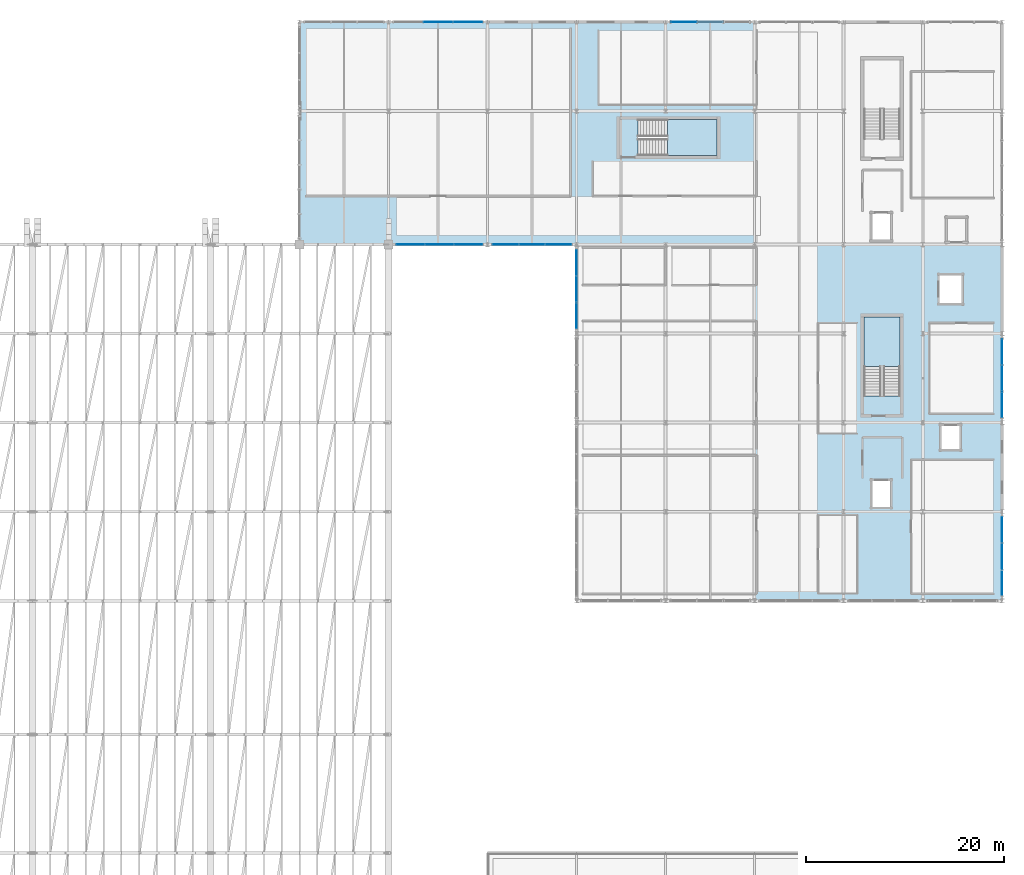
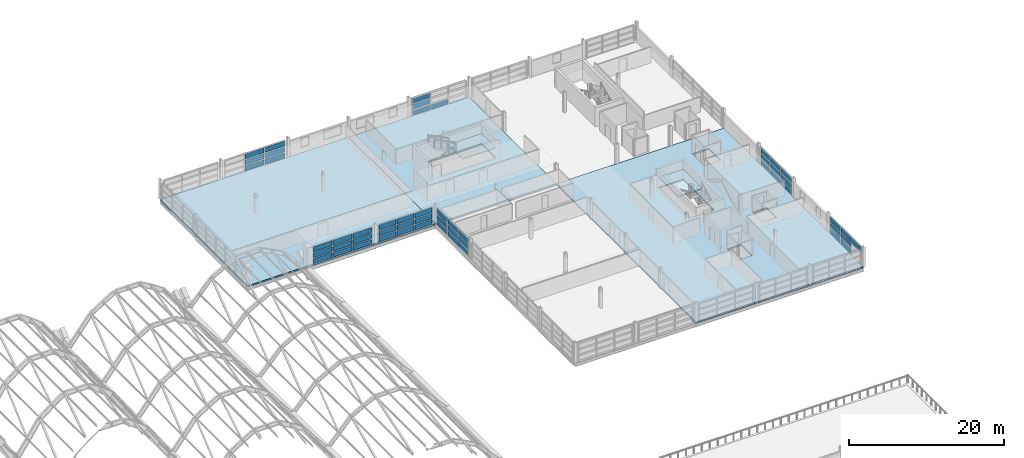
# One storey, part 59 of 86: 53 plates, 5 slabs, 9 elements without a shape of their own.
"""IFC4 building model written with IfcOpenShell, lengths in metres."""

from ifc_helpers import new_model, si_unit, direction, frame, origin, origin_2d, place, context, subcontext, project, spatial, polyline, rectangle, outline, extrude, material, layer, layer_set, type_object, element, aggregate, save


model = new_model("IFC4")

# Units and contexts
model_context = context("Model", 3, precision=1e-05, world=origin(), true_north=direction((0.0, 1.0)))
body_context = subcontext(model_context, "Body", "Model", "MODEL_VIEW")
ifc_project = project(units=[si_unit("LENGTHUNIT", "METRE"), si_unit("AREAUNIT", "SQUARE_METRE"), si_unit("VOLUMEUNIT", "CUBIC_METRE"), si_unit("PLANEANGLEUNIT", "RADIAN"), si_unit("MASSUNIT", "GRAM", prefix="KILO")], contexts=[model_context])

# Site, building, storey
site_placement = place(None, origin())
site = spatial("IfcSite", under=ifc_project, at=site_placement, CompositionType="ELEMENT")
building_placement = place(site_placement, origin())
building = spatial("IfcBuilding", under=site, at=building_placement, Name="Chuanluo Vaults Station", CompositionType="ELEMENT")
storey_placement = place(building_placement, frame((0.0, 0.0, 14.39990234375)))
storey = spatial("IfcBuildingStorey", under=building, at=storey_placement, Name="L03", CompositionType="ELEMENT", Elevation=14.39990234375)

# Curtain wall, plates
ifc_material_1 = material(Name="Anodised aluminium 6063-T6", Category="aluminium")
curtain_wall_type_1 = type_object("IfcCurtainWallType", Name="CW-SYS-27", PredefinedType="NOTDEFINED", material=ifc_material_1)
curtain_wall_1_placement = place(storey_placement, origin())
curtain_wall_1 = element("IfcCurtainWall", 1, at=curtain_wall_1_placement, inside=storey, type_object=curtain_wall_type_1, Name="Operations L03 facade CW part 1", PredefinedType="NOTDEFINED")
ifc_material_2 = material(Name="Ceramic-fritted spandrel glass", Category="glass")
ifc_layer_1 = layer(ifc_material_2, 0.06396484375)
ifc_layer_set_1 = layer_set([ifc_layer_1], Name="Ceramic-fritted spandrel glass")
plate_type_1 = type_object("IfcPlateType", Name="CWP-SPN-42", PredefinedType="SHEET", material=ifc_layer_set_1)
plate_1_placement = place(storey_placement, frame((143.183349609375, 103.5, 0.080078125), z_axis=(0.0, 0.0, 1.0), x_axis=(-1.0, 0.0, 0.0)))
plate_1 = element("IfcPlate", 2, at=plate_1_placement, type_object=plate_type_1, Name="Operations L03 facade CW part 1 glazed panel 1.1", PredefinedType="SHEET", context=body_context, shape_type="SweptSolid", body=[
    extrude(rectangle(XDim=2.523193359375, YDim=0.06396484375, at=origin_2d()), origin(), (0.0, 0.0, 1.0), 0.773193359375),
])
plate_2_placement = place(storey_placement, frame((140.5, 103.5, 0.080078125), z_axis=(0.0, 0.0, 1.0), x_axis=(-1.0, 0.0, 0.0)))
plate_2 = element("IfcPlate", 3, at=plate_2_placement, type_object=plate_type_1, Name="Operations L03 facade CW part 1 glazed panel 2.1", PredefinedType="SHEET", context=body_context, shape_type="SweptSolid", body=[
    extrude(rectangle(XDim=2.523193359375, YDim=0.06396484375, at=origin_2d()), origin(), (0.0, 0.0, 1.0), 0.773193359375),
])
plate_3_placement = place(storey_placement, frame((137.816650390625, 103.5, 0.080078125), z_axis=(0.0, 0.0, 1.0), x_axis=(-1.0, 0.0, 0.0)))
plate_3 = element("IfcPlate", 4, at=plate_3_placement, type_object=plate_type_1, Name="Operations L03 facade CW part 1 glazed panel 3.1", PredefinedType="SHEET", context=body_context, shape_type="SweptSolid", body=[
    extrude(rectangle(XDim=2.523193359375, YDim=0.06396484375, at=origin_2d()), origin(), (0.0, 0.0, 1.0), 0.773193359375),
])

ifc_material_3 = material(Name="Anodised aluminium 6063-T6", Category="aluminium")
curtain_wall_type_2 = type_object("IfcCurtainWallType", Name="CW-SYS-05", PredefinedType="NOTDEFINED", material=ifc_material_3)
curtain_wall_2_placement = place(storey_placement, origin())
curtain_wall_2 = element("IfcCurtainWall", 5, at=curtain_wall_2_placement, inside=storey, type_object=curtain_wall_type_2, Name="Operations L03 facade CW", PredefinedType="NOTDEFINED")
plate_4_placement = place(storey_placement, frame((155.816650390625, 126.0, 0.080078125), z_axis=(0.0, 0.0, 1.0), x_axis=(1.0, 0.0, 0.0)))
plate_4 = element("IfcPlate", 6, at=plate_4_placement, type_object=plate_type_1, Name="Operations L03 facade CW glazed panel 1.1", PredefinedType="SHEET", context=body_context, shape_type="SweptSolid", body=[
    extrude(rectangle(XDim=2.523193359375, YDim=0.06396484375, at=origin_2d()), origin(), (0.0, 0.0, 1.0), 0.773193359375),
])
plate_5_placement = place(storey_placement, frame((158.5, 126.0, 0.080078125), z_axis=(0.0, 0.0, 1.0), x_axis=(1.0, 0.0, 0.0)))
plate_5 = element("IfcPlate", 7, at=plate_5_placement, type_object=plate_type_1, Name="Operations L03 facade CW glazed panel 2.1", PredefinedType="SHEET", context=body_context, shape_type="SweptSolid", body=[
    extrude(rectangle(XDim=2.523193359375, YDim=0.06396484375, at=origin_2d()), origin(), (0.0, 0.0, 1.0), 0.773193359375),
])

ifc_material_4 = material(Name="Anodised aluminium 6063-T6", Category="aluminium")
curtain_wall_type_3 = type_object("IfcCurtainWallType", Name="CW-SYS-09", PredefinedType="NOTDEFINED", material=ifc_material_4)
curtain_wall_3_placement = place(storey_placement, origin())
curtain_wall_3 = element("IfcCurtainWall", 8, at=curtain_wall_3_placement, inside=storey, type_object=curtain_wall_type_3, Name="Operations L03 facade CW", PredefinedType="NOTDEFINED")
plate_6_placement = place(storey_placement, frame((188.0, 92.683349609375, 0.080078125), z_axis=(0.0, 0.0, 1.0), x_axis=(0.0, -1.0, 0.0)))
plate_6 = element("IfcPlate", 9, at=plate_6_placement, type_object=plate_type_1, Name="Operations L03 facade CW glazed panel 1.1", PredefinedType="SHEET", context=body_context, shape_type="SweptSolid", body=[
    extrude(rectangle(XDim=2.523193359375, YDim=0.06396484375, at=origin_2d()), origin(), (0.0, 0.0, 1.0), 0.773193359375),
])
plate_7_placement = place(storey_placement, frame((188.0, 90.0, 0.080078125), z_axis=(0.0, 0.0, 1.0), x_axis=(0.0, -1.0, 0.0)))
plate_7 = element("IfcPlate", 10, at=plate_7_placement, type_object=plate_type_1, Name="Operations L03 facade CW glazed panel 2.1", PredefinedType="SHEET", context=body_context, shape_type="SweptSolid", body=[
    extrude(rectangle(XDim=2.523193359375, YDim=0.06396484375, at=origin_2d()), origin(), (0.0, 0.0, 1.0), 0.773193359375),
])
plate_8_placement = place(storey_placement, frame((188.0, 87.316650390625, 0.080078125), z_axis=(0.0, 0.0, 1.0), x_axis=(0.0, -1.0, 0.0)))
plate_8 = element("IfcPlate", 11, at=plate_8_placement, type_object=plate_type_1, Name="Operations L03 facade CW glazed panel 3.1", PredefinedType="SHEET", context=body_context, shape_type="SweptSolid", body=[
    extrude(rectangle(XDim=2.523193359375, YDim=0.06396484375, at=origin_2d()), origin(), (0.0, 0.0, 1.0), 0.773193359375),
])

ifc_material_5 = material(Name="Anodised aluminium 6063-T6", Category="aluminium")
curtain_wall_type_4 = type_object("IfcCurtainWallType", Name="CW-SYS-26", PredefinedType="NOTDEFINED", material=ifc_material_5)
curtain_wall_4_placement = place(storey_placement, origin())
curtain_wall_4 = element("IfcCurtainWall", 12, at=curtain_wall_4_placement, inside=storey, type_object=curtain_wall_type_4, Name="Operations L03 facade CW", PredefinedType="NOTDEFINED")
ifc_material_6 = material(Name="Ceramic-fritted spandrel glass", Category="glass")
ifc_layer_2 = layer(ifc_material_6, 0.070068359375)
ifc_layer_set_2 = layer_set([ifc_layer_2], Name="Ceramic-fritted spandrel glass")
plate_type_2 = type_object("IfcPlateType", Name="CWP-SPN-50", PredefinedType="SHEET", material=ifc_layer_set_2)
plate_9_placement = place(storey_placement, frame((145.0, 96.316650390625, 0.080078125), z_axis=(0.0, 0.0, 1.0), x_axis=(0.0, 1.0, 0.0)))
plate_9 = element("IfcPlate", 13, at=plate_9_placement, type_object=plate_type_2, Name="Operations L03 facade CW glazed panel 1.1", PredefinedType="SHEET", context=body_context, shape_type="SweptSolid", body=[
    extrude(rectangle(XDim=2.523193359375, YDim=0.070068359375, at=origin_2d()), origin(), (0.0, 0.0, 1.0), 0.773193359375),
])
plate_10_placement = place(storey_placement, frame((145.0, 99.0, 0.080078125), z_axis=(0.0, 0.0, 1.0), x_axis=(0.0, 1.0, 0.0)))
plate_10 = element("IfcPlate", 14, at=plate_10_placement, type_object=plate_type_2, Name="Operations L03 facade CW glazed panel 2.1", PredefinedType="SHEET", context=body_context, shape_type="SweptSolid", body=[
    extrude(rectangle(XDim=2.523193359375, YDim=0.070068359375, at=origin_2d()), origin(), (0.0, 0.0, 1.0), 0.773193359375),
])
plate_11_placement = place(storey_placement, frame((145.0, 101.683349609375, 0.080078125), z_axis=(0.0, 0.0, 1.0), x_axis=(0.0, 1.0, 0.0)))
plate_11 = element("IfcPlate", 15, at=plate_11_placement, type_object=plate_type_2, Name="Operations L03 facade CW glazed panel 3.1", PredefinedType="SHEET", context=body_context, shape_type="SweptSolid", body=[
    extrude(rectangle(XDim=2.523193359375, YDim=0.070068359375, at=origin_2d()), origin(), (0.0, 0.0, 1.0), 0.773193359375),
])

ifc_material_7 = material(Name="Anodised aluminium 6063-T6", Category="aluminium")
curtain_wall_type_5 = type_object("IfcCurtainWallType", Name="CW-SYS-28", PredefinedType="NOTDEFINED", material=ifc_material_7)
curtain_wall_5_placement = place(storey_placement, origin())
curtain_wall_5 = element("IfcCurtainWall", 16, at=curtain_wall_5_placement, inside=storey, type_object=curtain_wall_type_5, Name="Operations L03 facade CW part 2", PredefinedType="NOTDEFINED")
plate_12_placement = place(storey_placement, frame((134.058349609375, 103.5, 0.080078125), z_axis=(0.0, 0.0, 1.0), x_axis=(-1.0, 0.0, 0.0)))
plate_12 = element("IfcPlate", 17, at=plate_12_placement, type_object=plate_type_2, Name="Operations L03 facade CW part 2 glazed panel 1.1", PredefinedType="SHEET", context=body_context, shape_type="SweptSolid", body=[
    extrude(rectangle(XDim=2.773193359375, YDim=0.070068359375, at=origin_2d()), origin(), (0.0, 0.0, 1.0), 0.773193359375),
])
plate_13_placement = place(storey_placement, frame((131.125, 103.5, 0.080078125), z_axis=(0.0, 0.0, 1.0), x_axis=(-1.0, 0.0, 0.0)))
plate_13 = element("IfcPlate", 18, at=plate_13_placement, type_object=plate_type_2, Name="Operations L03 facade CW part 2 glazed panel 2.1", PredefinedType="SHEET", context=body_context, shape_type="SweptSolid", body=[
    extrude(rectangle(XDim=2.773193359375, YDim=0.070068359375, at=origin_2d()), origin(), (0.0, 0.0, 1.0), 0.773193359375),
])
plate_14_placement = place(storey_placement, frame((128.191650390625, 103.5, 0.080078125), z_axis=(0.0, 0.0, 1.0), x_axis=(-1.0, 0.0, 0.0)))
plate_14 = element("IfcPlate", 19, at=plate_14_placement, type_object=plate_type_2, Name="Operations L03 facade CW part 2 glazed panel 3.1", PredefinedType="SHEET", context=body_context, shape_type="SweptSolid", body=[
    extrude(rectangle(XDim=2.773193359375, YDim=0.070068359375, at=origin_2d()), origin(), (0.0, 0.0, 1.0), 0.773193359375),
])

ifc_material_8 = material(Name="Anodised aluminium 6063-T6", Category="aluminium")
curtain_wall_type_6 = type_object("IfcCurtainWallType", Name="CW-SYS-04", PredefinedType="NOTDEFINED", material=ifc_material_8)
curtain_wall_6_placement = place(storey_placement, origin())
curtain_wall_6 = element("IfcCurtainWall", 20, at=curtain_wall_6_placement, inside=storey, type_object=curtain_wall_type_6, Name="Operations L03 facade CW", PredefinedType="NOTDEFINED")
plate_15_placement = place(storey_placement, frame((131.0, 126.0, 0.080078125), z_axis=(0.0, 0.0, 1.0), x_axis=(1.0, 0.0, 0.0)))
plate_15 = element("IfcPlate", 21, at=plate_15_placement, type_object=plate_type_2, Name="Operations L03 facade CW glazed panel 2.1", PredefinedType="SHEET", context=body_context, shape_type="SweptSolid", body=[
    extrude(rectangle(XDim=2.856689453125, YDim=0.070068359375, at=origin_2d()), origin(), (0.0, 0.0, 1.0), 0.773193359375),
])
plate_16_placement = place(storey_placement, frame((134.0166015625, 126.0, 0.080078125), z_axis=(0.0, 0.0, 1.0), x_axis=(1.0, 0.0, 0.0)))
plate_16 = element("IfcPlate", 22, at=plate_16_placement, type_object=plate_type_2, Name="Operations L03 facade CW glazed panel 3.1", PredefinedType="SHEET", context=body_context, shape_type="SweptSolid", body=[
    extrude(rectangle(XDim=2.856689453125, YDim=0.070068359375, at=origin_2d()), origin(), (0.0, 0.0, 1.0), 0.773193359375),
])

ifc_material_9 = material(Name="Anodised aluminium 6063-T6", Category="aluminium")
curtain_wall_type_7 = type_object("IfcCurtainWallType", Name="CW-SYS-08", PredefinedType="NOTDEFINED", material=ifc_material_9)
curtain_wall_7_placement = place(storey_placement, origin())
curtain_wall_7 = element("IfcCurtainWall", 23, at=curtain_wall_7_placement, inside=storey, type_object=curtain_wall_type_7, Name="Operations L03 facade CW", PredefinedType="NOTDEFINED")
plate_17_placement = place(storey_placement, frame((188.0, 74.683349609375, 0.080078125), z_axis=(0.0, 0.0, 1.0), x_axis=(0.0, -1.0, 0.0)))
plate_17 = element("IfcPlate", 24, at=plate_17_placement, type_object=plate_type_2, Name="Operations L03 facade CW glazed panel 1.1", PredefinedType="SHEET", context=body_context, shape_type="SweptSolid", body=[
    extrude(rectangle(XDim=2.523193359375, YDim=0.070068359375, at=origin_2d()), origin(), (0.0, 0.0, 1.0), 0.773193359375),
])
plate_18_placement = place(storey_placement, frame((188.0, 72.0, 0.080078125), z_axis=(0.0, 0.0, 1.0), x_axis=(0.0, -1.0, 0.0)))
plate_18 = element("IfcPlate", 25, at=plate_18_placement, type_object=plate_type_2, Name="Operations L03 facade CW glazed panel 2.1", PredefinedType="SHEET", context=body_context, shape_type="SweptSolid", body=[
    extrude(rectangle(XDim=2.523193359375, YDim=0.070068359375, at=origin_2d()), origin(), (0.0, 0.0, 1.0), 0.773193359375),
])

# Plate
ifc_material_10 = material(Name="Double-silver Low-E laminated glass", Category="glass")
ifc_layer_3 = layer(ifc_material_10, 0.0439453125)
ifc_layer_set_3 = layer_set([ifc_layer_3], Name="Double-silver Low-E laminated glass")
plate_type_3 = type_object("IfcPlateType", Name="CWP-VIS-28", PredefinedType="CURTAIN_PANEL", material=ifc_layer_set_3)
plate_19_placement = place(storey_placement, frame((134.058349609375, 103.5, 1.013427734375), z_axis=(0.0, 0.0, 1.0), x_axis=(-1.0, 0.0, 0.0)))
plate_19 = element("IfcPlate", 26, at=plate_19_placement, type_object=plate_type_3, Name="Operations L03 facade CW part 2 glazed panel 1.2", PredefinedType="CURTAIN_PANEL", context=body_context, shape_type="SweptSolid", body=[
    extrude(rectangle(XDim=2.773193359375, YDim=0.0439453125, at=origin_2d()), origin(), (0.0, 0.0, 1.0), 0.7734375),
])

plate_20_placement = place(storey_placement, frame((134.058349609375, 103.5, 1.94677734375), z_axis=(0.0, 0.0, 1.0), x_axis=(-1.0, 0.0, 0.0)))
plate_20 = element("IfcPlate", 27, at=plate_20_placement, type_object=plate_type_3, Name="Operations L03 facade CW part 2 glazed panel 1.3", PredefinedType="CURTAIN_PANEL", context=body_context, shape_type="SweptSolid", body=[
    extrude(rectangle(XDim=2.773193359375, YDim=0.0439453125, at=origin_2d()), origin(), (0.0, 0.0, 1.0), 0.773193359375),
])

plate_21_placement = place(storey_placement, frame((131.125, 103.5, 1.013427734375), z_axis=(0.0, 0.0, 1.0), x_axis=(-1.0, 0.0, 0.0)))
plate_21 = element("IfcPlate", 28, at=plate_21_placement, type_object=plate_type_3, Name="Operations L03 facade CW part 2 glazed panel 2.2", PredefinedType="CURTAIN_PANEL", context=body_context, shape_type="SweptSolid", body=[
    extrude(rectangle(XDim=2.773193359375, YDim=0.0439453125, at=origin_2d()), origin(), (0.0, 0.0, 1.0), 0.7734375),
])

plate_22_placement = place(storey_placement, frame((131.125, 103.5, 1.94677734375), z_axis=(0.0, 0.0, 1.0), x_axis=(-1.0, 0.0, 0.0)))
plate_22 = element("IfcPlate", 29, at=plate_22_placement, type_object=plate_type_3, Name="Operations L03 facade CW part 2 glazed panel 2.3", PredefinedType="CURTAIN_PANEL", context=body_context, shape_type="SweptSolid", body=[
    extrude(rectangle(XDim=2.773193359375, YDim=0.0439453125, at=origin_2d()), origin(), (0.0, 0.0, 1.0), 0.773193359375),
])

plate_23_placement = place(storey_placement, frame((128.191650390625, 103.5, 1.013427734375), z_axis=(0.0, 0.0, 1.0), x_axis=(-1.0, 0.0, 0.0)))
plate_23 = element("IfcPlate", 30, at=plate_23_placement, type_object=plate_type_3, Name="Operations L03 facade CW part 2 glazed panel 3.2", PredefinedType="CURTAIN_PANEL", context=body_context, shape_type="SweptSolid", body=[
    extrude(rectangle(XDim=2.773193359375, YDim=0.0439453125, at=origin_2d()), origin(), (0.0, 0.0, 1.0), 0.7734375),
])

plate_24_placement = place(storey_placement, frame((128.191650390625, 103.5, 1.94677734375), z_axis=(0.0, 0.0, 1.0), x_axis=(-1.0, 0.0, 0.0)))
plate_24 = element("IfcPlate", 31, at=plate_24_placement, type_object=plate_type_3, Name="Operations L03 facade CW part 2 glazed panel 3.3", PredefinedType="CURTAIN_PANEL", context=body_context, shape_type="SweptSolid", body=[
    extrude(rectangle(XDim=2.773193359375, YDim=0.0439453125, at=origin_2d()), origin(), (0.0, 0.0, 1.0), 0.773193359375),
])

aggregate(curtain_wall_5, [plate_12, plate_19, plate_20, plate_13, plate_21, plate_22, plate_14, plate_23, plate_24])

plate_25_placement = place(storey_placement, frame((131.0, 126.0, 1.013427734375), z_axis=(0.0, 0.0, 1.0), x_axis=(1.0, 0.0, 0.0)))
plate_25 = element("IfcPlate", 32, at=plate_25_placement, type_object=plate_type_3, Name="Operations L03 facade CW glazed panel 2.2", PredefinedType="CURTAIN_PANEL", context=body_context, shape_type="SweptSolid", body=[
    extrude(rectangle(XDim=2.856689453125, YDim=0.0439453125, at=origin_2d()), origin(), (0.0, 0.0, 1.0), 0.7734375),
])

plate_26_placement = place(storey_placement, frame((131.0, 126.0, 1.94677734375), z_axis=(0.0, 0.0, 1.0), x_axis=(1.0, 0.0, 0.0)))
plate_26 = element("IfcPlate", 33, at=plate_26_placement, type_object=plate_type_3, Name="Operations L03 facade CW glazed panel 2.3", PredefinedType="CURTAIN_PANEL", context=body_context, shape_type="SweptSolid", body=[
    extrude(rectangle(XDim=2.856689453125, YDim=0.0439453125, at=origin_2d()), origin(), (0.0, 0.0, 1.0), 0.773193359375),
])

plate_27_placement = place(storey_placement, frame((134.0166015625, 126.0, 1.013427734375), z_axis=(0.0, 0.0, 1.0), x_axis=(1.0, 0.0, 0.0)))
plate_27 = element("IfcPlate", 34, at=plate_27_placement, type_object=plate_type_3, Name="Operations L03 facade CW glazed panel 3.2", PredefinedType="CURTAIN_PANEL", context=body_context, shape_type="SweptSolid", body=[
    extrude(rectangle(XDim=2.856689453125, YDim=0.0439453125, at=origin_2d()), origin(), (0.0, 0.0, 1.0), 0.7734375),
])

plate_28_placement = place(storey_placement, frame((134.0166015625, 126.0, 1.94677734375), z_axis=(0.0, 0.0, 1.0), x_axis=(1.0, 0.0, 0.0)))
plate_28 = element("IfcPlate", 35, at=plate_28_placement, type_object=plate_type_3, Name="Operations L03 facade CW glazed panel 3.3", PredefinedType="CURTAIN_PANEL", context=body_context, shape_type="SweptSolid", body=[
    extrude(rectangle(XDim=2.856689453125, YDim=0.0439453125, at=origin_2d()), origin(), (0.0, 0.0, 1.0), 0.773193359375),
])

aggregate(curtain_wall_6, [plate_15, plate_25, plate_26, plate_16, plate_27, plate_28])

plate_29_placement = place(storey_placement, frame((188.0, 74.683349609375, 1.013427734375), z_axis=(0.0, 0.0, 1.0), x_axis=(0.0, -1.0, 0.0)))
plate_29 = element("IfcPlate", 36, at=plate_29_placement, type_object=plate_type_3, Name="Operations L03 facade CW glazed panel 1.2", PredefinedType="CURTAIN_PANEL", context=body_context, shape_type="SweptSolid", body=[
    extrude(rectangle(XDim=2.523193359375, YDim=0.0439453125, at=origin_2d()), origin(), (0.0, 0.0, 1.0), 0.7734375),
])

plate_30_placement = place(storey_placement, frame((188.0, 74.683349609375, 1.94677734375), z_axis=(0.0, 0.0, 1.0), x_axis=(0.0, -1.0, 0.0)))
plate_30 = element("IfcPlate", 37, at=plate_30_placement, type_object=plate_type_3, Name="Operations L03 facade CW glazed panel 1.3", PredefinedType="CURTAIN_PANEL", context=body_context, shape_type="SweptSolid", body=[
    extrude(rectangle(XDim=2.523193359375, YDim=0.0439453125, at=origin_2d()), origin(), (0.0, 0.0, 1.0), 0.773193359375),
])

plate_31_placement = place(storey_placement, frame((188.0, 72.0, 1.013427734375), z_axis=(0.0, 0.0, 1.0), x_axis=(0.0, -1.0, 0.0)))
plate_31 = element("IfcPlate", 38, at=plate_31_placement, type_object=plate_type_3, Name="Operations L03 facade CW glazed panel 2.2", PredefinedType="CURTAIN_PANEL", context=body_context, shape_type="SweptSolid", body=[
    extrude(rectangle(XDim=2.523193359375, YDim=0.0439453125, at=origin_2d()), origin(), (0.0, 0.0, 1.0), 0.7734375),
])

plate_32_placement = place(storey_placement, frame((188.0, 72.0, 1.94677734375), z_axis=(0.0, 0.0, 1.0), x_axis=(0.0, -1.0, 0.0)))
plate_32 = element("IfcPlate", 39, at=plate_32_placement, type_object=plate_type_3, Name="Operations L03 facade CW glazed panel 2.3", PredefinedType="CURTAIN_PANEL", context=body_context, shape_type="SweptSolid", body=[
    extrude(rectangle(XDim=2.523193359375, YDim=0.0439453125, at=origin_2d()), origin(), (0.0, 0.0, 1.0), 0.773193359375),
])

plate_33_placement = place(storey_placement, frame((188.0, 69.316650390625, 1.94677734375), z_axis=(0.0, 0.0, 1.0), x_axis=(0.0, -1.0, 0.0)))
plate_33 = element("IfcPlate", 40, at=plate_33_placement, type_object=plate_type_3, Name="Operations L03 facade CW glazed panel 3.3", PredefinedType="CURTAIN_PANEL", context=body_context, shape_type="SweptSolid", body=[
    extrude(rectangle(XDim=2.523193359375, YDim=0.0439453125, at=origin_2d()), origin(), (0.0, 0.0, 1.0), 0.773193359375),
])

aggregate(curtain_wall_7, [plate_17, plate_29, plate_30, plate_18, plate_31, plate_32, plate_33])

ifc_material_11 = material(Name="Double-silver Low-E laminated glass", Category="glass")
ifc_layer_4 = layer(ifc_material_11, 0.048095703125)
ifc_layer_set_4 = layer_set([ifc_layer_4], Name="Double-silver Low-E laminated glass")
plate_type_4 = type_object("IfcPlateType", Name="CWP-VIS-32", PredefinedType="CURTAIN_PANEL", material=ifc_layer_set_4)
plate_34_placement = place(storey_placement, frame((143.183349609375, 103.5, 1.013427734375), z_axis=(0.0, 0.0, 1.0), x_axis=(-1.0, 0.0, 0.0)))
plate_34 = element("IfcPlate", 41, at=plate_34_placement, type_object=plate_type_4, Name="Operations L03 facade CW part 1 glazed panel 1.2", PredefinedType="CURTAIN_PANEL", context=body_context, shape_type="SweptSolid", body=[
    extrude(rectangle(XDim=2.523193359375, YDim=0.048095703125, at=origin_2d()), origin(), (0.0, 0.0, 1.0), 0.7734375),
])

plate_35_placement = place(storey_placement, frame((143.183349609375, 103.5, 1.94677734375), z_axis=(0.0, 0.0, 1.0), x_axis=(-1.0, 0.0, 0.0)))
plate_35 = element("IfcPlate", 42, at=plate_35_placement, type_object=plate_type_4, Name="Operations L03 facade CW part 1 glazed panel 1.3", PredefinedType="CURTAIN_PANEL", context=body_context, shape_type="SweptSolid", body=[
    extrude(rectangle(XDim=2.523193359375, YDim=0.048095703125, at=origin_2d()), origin(), (0.0, 0.0, 1.0), 0.773193359375),
])

plate_36_placement = place(storey_placement, frame((140.5, 103.5, 1.013427734375), z_axis=(0.0, 0.0, 1.0), x_axis=(-1.0, 0.0, 0.0)))
plate_36 = element("IfcPlate", 43, at=plate_36_placement, type_object=plate_type_4, Name="Operations L03 facade CW part 1 glazed panel 2.2", PredefinedType="CURTAIN_PANEL", context=body_context, shape_type="SweptSolid", body=[
    extrude(rectangle(XDim=2.523193359375, YDim=0.048095703125, at=origin_2d()), origin(), (0.0, 0.0, 1.0), 0.7734375),
])

plate_37_placement = place(storey_placement, frame((140.5, 103.5, 1.94677734375), z_axis=(0.0, 0.0, 1.0), x_axis=(-1.0, 0.0, 0.0)))
plate_37 = element("IfcPlate", 44, at=plate_37_placement, type_object=plate_type_4, Name="Operations L03 facade CW part 1 glazed panel 2.3", PredefinedType="CURTAIN_PANEL", context=body_context, shape_type="SweptSolid", body=[
    extrude(rectangle(XDim=2.523193359375, YDim=0.048095703125, at=origin_2d()), origin(), (0.0, 0.0, 1.0), 0.773193359375),
])

plate_38_placement = place(storey_placement, frame((137.816650390625, 103.5, 1.013427734375), z_axis=(0.0, 0.0, 1.0), x_axis=(-1.0, 0.0, 0.0)))
plate_38 = element("IfcPlate", 45, at=plate_38_placement, type_object=plate_type_4, Name="Operations L03 facade CW part 1 glazed panel 3.2", PredefinedType="CURTAIN_PANEL", context=body_context, shape_type="SweptSolid", body=[
    extrude(rectangle(XDim=2.523193359375, YDim=0.048095703125, at=origin_2d()), origin(), (0.0, 0.0, 1.0), 0.7734375),
])

plate_39_placement = place(storey_placement, frame((137.816650390625, 103.5, 1.94677734375), z_axis=(0.0, 0.0, 1.0), x_axis=(-1.0, 0.0, 0.0)))
plate_39 = element("IfcPlate", 46, at=plate_39_placement, type_object=plate_type_4, Name="Operations L03 facade CW part 1 glazed panel 3.3", PredefinedType="CURTAIN_PANEL", context=body_context, shape_type="SweptSolid", body=[
    extrude(rectangle(XDim=2.523193359375, YDim=0.048095703125, at=origin_2d()), origin(), (0.0, 0.0, 1.0), 0.773193359375),
])

aggregate(curtain_wall_1, [plate_1, plate_34, plate_35, plate_2, plate_36, plate_37, plate_3, plate_38, plate_39])

ifc_material_12 = material(Name="Double-silver Low-E laminated glass", Category="glass")
ifc_layer_5 = layer(ifc_material_12, 0.053955078125)
ifc_layer_set_5 = layer_set([ifc_layer_5], Name="Double-silver Low-E laminated glass")
plate_type_5 = type_object("IfcPlateType", Name="CWP-VIS-36", PredefinedType="CURTAIN_PANEL", material=ifc_layer_set_5)
plate_40_placement = place(storey_placement, frame((145.0, 96.316650390625, 1.013427734375), z_axis=(0.0, 0.0, 1.0), x_axis=(0.0, 1.0, 0.0)))
plate_40 = element("IfcPlate", 47, at=plate_40_placement, type_object=plate_type_5, Name="Operations L03 facade CW glazed panel 1.2", PredefinedType="CURTAIN_PANEL", context=body_context, shape_type="SweptSolid", body=[
    extrude(rectangle(XDim=2.523193359375, YDim=0.053955078125, at=origin_2d()), origin(), (0.0, 0.0, 1.0), 0.7734375),
])

plate_41_placement = place(storey_placement, frame((145.0, 96.316650390625, 1.94677734375), z_axis=(0.0, 0.0, 1.0), x_axis=(0.0, 1.0, 0.0)))
plate_41 = element("IfcPlate", 48, at=plate_41_placement, type_object=plate_type_5, Name="Operations L03 facade CW glazed panel 1.3", PredefinedType="CURTAIN_PANEL", context=body_context, shape_type="SweptSolid", body=[
    extrude(rectangle(XDim=2.523193359375, YDim=0.053955078125, at=origin_2d()), origin(), (0.0, 0.0, 1.0), 0.773193359375),
])

plate_42_placement = place(storey_placement, frame((145.0, 99.0, 1.013427734375), z_axis=(0.0, 0.0, 1.0), x_axis=(0.0, 1.0, 0.0)))
plate_42 = element("IfcPlate", 49, at=plate_42_placement, type_object=plate_type_5, Name="Operations L03 facade CW glazed panel 2.2", PredefinedType="CURTAIN_PANEL", context=body_context, shape_type="SweptSolid", body=[
    extrude(rectangle(XDim=2.523193359375, YDim=0.053955078125, at=origin_2d()), origin(), (0.0, 0.0, 1.0), 0.7734375),
])

plate_43_placement = place(storey_placement, frame((145.0, 99.0, 1.94677734375), z_axis=(0.0, 0.0, 1.0), x_axis=(0.0, 1.0, 0.0)))
plate_43 = element("IfcPlate", 50, at=plate_43_placement, type_object=plate_type_5, Name="Operations L03 facade CW glazed panel 2.3", PredefinedType="CURTAIN_PANEL", context=body_context, shape_type="SweptSolid", body=[
    extrude(rectangle(XDim=2.523193359375, YDim=0.053955078125, at=origin_2d()), origin(), (0.0, 0.0, 1.0), 0.773193359375),
])

plate_44_placement = place(storey_placement, frame((145.0, 101.683349609375, 1.013427734375), z_axis=(0.0, 0.0, 1.0), x_axis=(0.0, 1.0, 0.0)))
plate_44 = element("IfcPlate", 51, at=plate_44_placement, type_object=plate_type_5, Name="Operations L03 facade CW glazed panel 3.2", PredefinedType="CURTAIN_PANEL", context=body_context, shape_type="SweptSolid", body=[
    extrude(rectangle(XDim=2.523193359375, YDim=0.053955078125, at=origin_2d()), origin(), (0.0, 0.0, 1.0), 0.7734375),
])

plate_45_placement = place(storey_placement, frame((145.0, 101.683349609375, 1.94677734375), z_axis=(0.0, 0.0, 1.0), x_axis=(0.0, 1.0, 0.0)))
plate_45 = element("IfcPlate", 52, at=plate_45_placement, type_object=plate_type_5, Name="Operations L03 facade CW glazed panel 3.3", PredefinedType="CURTAIN_PANEL", context=body_context, shape_type="SweptSolid", body=[
    extrude(rectangle(XDim=2.523193359375, YDim=0.053955078125, at=origin_2d()), origin(), (0.0, 0.0, 1.0), 0.773193359375),
])

aggregate(curtain_wall_4, [plate_9, plate_40, plate_41, plate_10, plate_42, plate_43, plate_11, plate_44, plate_45])

ifc_material_13 = material(Name="Double-silver Low-E laminated glass", Category="glass")
ifc_layer_6 = layer(ifc_material_13, 0.05810546875)
ifc_layer_set_6 = layer_set([ifc_layer_6], Name="Double-silver Low-E laminated glass")
plate_type_6 = type_object("IfcPlateType", Name="CWP-VIS-38", PredefinedType="CURTAIN_PANEL", material=ifc_layer_set_6)
plate_46_placement = place(storey_placement, frame((155.816650390625, 126.0, 1.013427734375), z_axis=(0.0, 0.0, 1.0), x_axis=(1.0, 0.0, 0.0)))
plate_46 = element("IfcPlate", 53, at=plate_46_placement, type_object=plate_type_6, Name="Operations L03 facade CW glazed panel 1.2", PredefinedType="CURTAIN_PANEL", context=body_context, shape_type="SweptSolid", body=[
    extrude(rectangle(XDim=2.523193359375, YDim=0.05810546875, at=origin_2d()), origin(), (0.0, 0.0, 1.0), 0.7734375),
])

plate_47_placement = place(storey_placement, frame((155.816650390625, 126.0, 1.94677734375), z_axis=(0.0, 0.0, 1.0), x_axis=(1.0, 0.0, 0.0)))
plate_47 = element("IfcPlate", 54, at=plate_47_placement, type_object=plate_type_6, Name="Operations L03 facade CW glazed panel 1.3", PredefinedType="CURTAIN_PANEL", context=body_context, shape_type="SweptSolid", body=[
    extrude(rectangle(XDim=2.523193359375, YDim=0.05810546875, at=origin_2d()), origin(), (0.0, 0.0, 1.0), 0.773193359375),
])

aggregate(curtain_wall_2, [plate_4, plate_46, plate_47, plate_5])

plate_48_placement = place(storey_placement, frame((188.0, 92.683349609375, 1.013427734375), z_axis=(0.0, 0.0, 1.0), x_axis=(0.0, -1.0, 0.0)))
plate_48 = element("IfcPlate", 55, at=plate_48_placement, type_object=plate_type_6, Name="Operations L03 facade CW glazed panel 1.2", PredefinedType="CURTAIN_PANEL", context=body_context, shape_type="SweptSolid", body=[
    extrude(rectangle(XDim=2.523193359375, YDim=0.05810546875, at=origin_2d()), origin(), (0.0, 0.0, 1.0), 0.7734375),
])

plate_49_placement = place(storey_placement, frame((188.0, 92.683349609375, 1.94677734375), z_axis=(0.0, 0.0, 1.0), x_axis=(0.0, -1.0, 0.0)))
plate_49 = element("IfcPlate", 56, at=plate_49_placement, type_object=plate_type_6, Name="Operations L03 facade CW glazed panel 1.3", PredefinedType="CURTAIN_PANEL", context=body_context, shape_type="SweptSolid", body=[
    extrude(rectangle(XDim=2.523193359375, YDim=0.05810546875, at=origin_2d()), origin(), (0.0, 0.0, 1.0), 0.773193359375),
])

plate_50_placement = place(storey_placement, frame((188.0, 90.0, 1.013427734375), z_axis=(0.0, 0.0, 1.0), x_axis=(0.0, -1.0, 0.0)))
plate_50 = element("IfcPlate", 57, at=plate_50_placement, type_object=plate_type_6, Name="Operations L03 facade CW glazed panel 2.2", PredefinedType="CURTAIN_PANEL", context=body_context, shape_type="SweptSolid", body=[
    extrude(rectangle(XDim=2.523193359375, YDim=0.05810546875, at=origin_2d()), origin(), (0.0, 0.0, 1.0), 0.7734375),
])

plate_51_placement = place(storey_placement, frame((188.0, 90.0, 1.94677734375), z_axis=(0.0, 0.0, 1.0), x_axis=(0.0, -1.0, 0.0)))
plate_51 = element("IfcPlate", 58, at=plate_51_placement, type_object=plate_type_6, Name="Operations L03 facade CW glazed panel 2.3", PredefinedType="CURTAIN_PANEL", context=body_context, shape_type="SweptSolid", body=[
    extrude(rectangle(XDim=2.523193359375, YDim=0.05810546875, at=origin_2d()), origin(), (0.0, 0.0, 1.0), 0.773193359375),
])

plate_52_placement = place(storey_placement, frame((188.0, 87.316650390625, 1.013427734375), z_axis=(0.0, 0.0, 1.0), x_axis=(0.0, -1.0, 0.0)))
plate_52 = element("IfcPlate", 59, at=plate_52_placement, type_object=plate_type_6, Name="Operations L03 facade CW glazed panel 3.2", PredefinedType="CURTAIN_PANEL", context=body_context, shape_type="SweptSolid", body=[
    extrude(rectangle(XDim=2.523193359375, YDim=0.05810546875, at=origin_2d()), origin(), (0.0, 0.0, 1.0), 0.7734375),
])

plate_53_placement = place(storey_placement, frame((188.0, 87.316650390625, 1.94677734375), z_axis=(0.0, 0.0, 1.0), x_axis=(0.0, -1.0, 0.0)))
plate_53 = element("IfcPlate", 60, at=plate_53_placement, type_object=plate_type_6, Name="Operations L03 facade CW glazed panel 3.3", PredefinedType="CURTAIN_PANEL", context=body_context, shape_type="SweptSolid", body=[
    extrude(rectangle(XDim=2.523193359375, YDim=0.05810546875, at=origin_2d()), origin(), (0.0, 0.0, 1.0), 0.773193359375),
])

aggregate(curtain_wall_3, [plate_6, plate_48, plate_49, plate_7, plate_50, plate_51, plate_8, plate_52, plate_53])

# Stair, slab
ifc_material_14 = material(Name="Concrete C40", Category="concrete")
stair_type = type_object("IfcStairType", Name="STR-TWO-1600", PredefinedType="HALF_TURN_STAIR", material=ifc_material_14)
stair_1_placement = place(storey_placement, origin())
stair_1 = element("IfcStair", 61, at=stair_1_placement, inside=storey, type_object=stair_type, Name="L03 ST-01", PredefinedType="HALF_TURN_STAIR")
ifc_material_15 = material(Name="Concrete C40", Category="concrete")
ifc_layer_7 = layer(ifc_material_15, 0.199951171875)
ifc_layer_set_7 = layer_set([ifc_layer_7], Name="Concrete C40")
slab_type_1 = type_object("IfcSlabType", Name="SLB-LND-200", PredefinedType="LANDING", material=ifc_layer_set_7)
slab_1_placement = place(storey_placement, frame((0.0, 0.0, 1.400146484375)))
slab_1 = element("IfcSlab", 62, at=slab_1_placement, type_object=slab_type_1, Name="ST-01 landing 1", PredefinedType="LANDING", context=body_context, shape_type="SweptSolid", body=[
    extrude(outline(polyline([(177.6875, 91.1875), (177.6875, 96.172607421875), (174.0673828125, 96.172607421875), (174.0673828125, 91.1875), (177.6875, 91.1875)])), origin(), (0.0, 0.0, 1.0), 0.199951171875),
])
aggregate(stair_1, [slab_1])

stair_2_placement = place(storey_placement, origin())
stair_2 = element("IfcStair", 63, at=stair_2_placement, inside=storey, type_object=stair_type, Name="L03 ST-03", PredefinedType="HALF_TURN_STAIR")
slab_2_placement = place(storey_placement, frame((0.0, 0.0, 1.400146484375)))
slab_2 = element("IfcSlab", 64, at=slab_2_placement, type_object=slab_type_1, Name="ST-03 landing 1", PredefinedType="LANDING", context=body_context, shape_type="SweptSolid", body=[
    extrude(outline(polyline([(154.1875, 112.5), (159.172607421875, 112.5), (159.172607421875, 116.1201171875), (154.1875, 116.1201171875), (154.1875, 112.5)])), origin(), (0.0, 0.0, 1.0), 0.199951171875),
])
aggregate(stair_2, [slab_2])

# Slabs
ifc_material_16 = material(Name="Concrete C40", Category="concrete")
ifc_layer_8 = layer(ifc_material_16, 0.219970703125)
ifc_layer_set_8 = layer_set([ifc_layer_8], Name="Concrete C40")
slab_type_2 = type_object("IfcSlabType", Name="SLB-OPS-220", PredefinedType="FLOOR", material=ifc_layer_set_8)
slab_3_placement = place(storey_placement, frame((0.0, 0.0, -0.219970703125)))
element("IfcSlab", 65, at=slab_3_placement, inside=storey, type_object=slab_type_2, Name="L03 OPS slab 02", PredefinedType="FLOOR", context=body_context, shape_type="SweptSolid", body=[
    extrude(outline(polyline([(145.0, 103.5), (163.0, 103.5), (163.0, 126.0), (145.0, 126.0), (145.0, 103.5)]), holes=[polyline([(151.19140625, 112.5), (159.172607421875, 112.5), (159.172607421875, 116.1201171875), (151.19140625, 116.1201171875), (151.19140625, 112.5)])]), origin(), (0.0, 0.0, 1.0), 0.219970703125),
])
slab_4_placement = place(storey_placement, frame((0.0, 0.0, -0.219970703125)))
element("IfcSlab", 66, at=slab_4_placement, inside=storey, type_object=slab_type_2, Name="L03 OPS slab 03", PredefinedType="FLOOR", context=body_context, shape_type="SweptSolid", body=[
    extrude(outline(polyline([(163.0, 67.5), (188.0, 67.5), (188.0, 103.5), (163.0, 103.5), (163.0, 67.5)]), holes=[polyline([(177.6875, 88.19140625), (177.6875, 96.172607421875), (174.0673828125, 96.172607421875), (174.0673828125, 88.19140625), (177.6875, 88.19140625)]), polyline([(174.780029296875, 76.8798828125), (176.820068359375, 76.8798828125), (176.820068359375, 79.719970703125), (174.780029296875, 79.719970703125), (174.780029296875, 76.8798828125)]), polyline([(181.780029296875, 82.72998046875), (183.820068359375, 82.72998046875), (183.820068359375, 85.27001953125), (181.780029296875, 85.27001953125), (181.780029296875, 82.72998046875)]), polyline([(181.580078125, 97.47998046875), (184.02001953125, 97.47998046875), (184.02001953125, 100.52001953125), (181.580078125, 100.52001953125), (181.580078125, 97.47998046875)])]), origin(), (0.0, 0.0, 1.0), 0.219970703125),
])
slab_5_placement = place(storey_placement, frame((0.0, 0.0, -0.219970703125)))
element("IfcSlab", 67, at=slab_5_placement, inside=storey, type_object=slab_type_2, Name="L03 OPSW slab 01", PredefinedType="FLOOR", context=body_context, shape_type="SweptSolid", body=[
    extrude(outline(polyline([(117.0, 103.5), (145.0, 103.5), (145.0, 126.0), (117.0, 126.0), (117.0, 103.5)])), origin(), (0.0, 0.0, 1.0), 0.219970703125),
])

save(model, "model.ifc")
